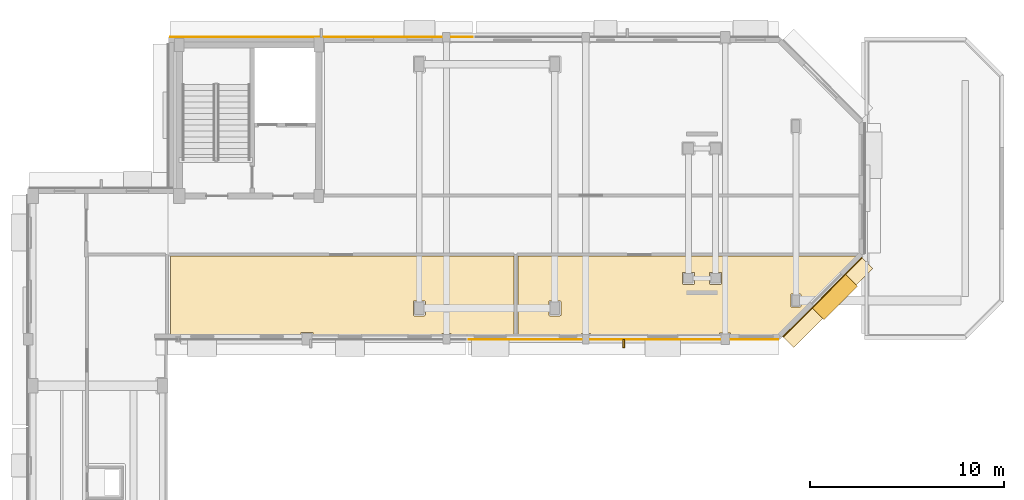
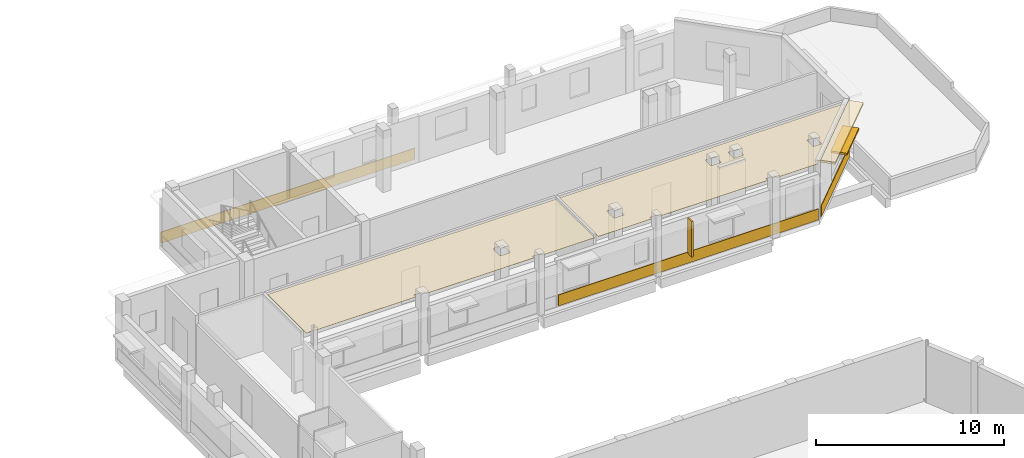
# One storey, part 104 of 105: 6 coverings, 2 shading devices.
"""IFC4 building model written with IfcOpenShell, lengths in metres."""

from ifc_helpers import new_model, si_unit, direction, frame, origin, origin_2d, place, context, subcontext, project, spatial, polyline, rectangle, outline, extrude, material, layer, layer_set, type_object, element, save


model = new_model("IFC4")

# Units and contexts
model_context = context("Model", 3, precision=1e-05, world=origin(), true_north=direction((0.0, 1.0)))
body_context = subcontext(model_context, "Body", "Model", "MODEL_VIEW")
ifc_project = project(units=[si_unit("LENGTHUNIT", "METRE"), si_unit("AREAUNIT", "SQUARE_METRE"), si_unit("VOLUMEUNIT", "CUBIC_METRE"), si_unit("PLANEANGLEUNIT", "RADIAN"), si_unit("MASSUNIT", "GRAM", prefix="KILO")], contexts=[model_context])

# Site, building, storey
site_placement = place(None, origin())
site = spatial("IfcSite", under=ifc_project, at=site_placement, CompositionType="ELEMENT")
building_placement = place(site_placement, origin())
building = spatial("IfcBuilding", under=site, at=building_placement, Name="Kelanivale Promenade Academy", CompositionType="ELEMENT")
storey_placement = place(building_placement, frame((0.0, 0.0, 4.199951171875)))
storey = spatial("IfcBuildingStorey", under=building, at=storey_placement, Name="L01", CompositionType="ELEMENT", Elevation=4.199951171875)

# Coverings
ifc_material_1 = material(Name="Warm ivory Art Deco stucco frieze band 40 mm", Category="masonry")
ifc_layer_1 = layer(ifc_material_1, 0.0400390625)
ifc_layer_set_1 = layer_set([ifc_layer_1], Name="Warm ivory Art Deco stucco frieze band 40 mm")
covering_type_1 = type_object("IfcCoveringType", Name="COV-CLD2 Warm ivory Art Deco stucco frieze ba", PredefinedType="CLADDING", material=ifc_layer_set_1)
covering_1_placement = place(storey_placement, frame((146.35302734375, 96.385009765625, 0.06005859375), z_axis=(0.0, 0.0, 1.0), x_axis=(1.0, 0.0, 0.0)))
element("IfcCovering", 1, at=covering_1_placement, inside=storey, type_object=covering_type_1, Name="Art Deco ivory stucco sill frieze band", PredefinedType="CLADDING", context=body_context, shape_type="SweptSolid", body=[
    extrude(rectangle(XDim=15.9951171875, YDim=0.0400390625, at=origin_2d()), origin(), (0.0, 0.0, 1.0), 0.719970703125),
])
covering_2_placement = place(storey_placement, frame((156.89892578125, 98.301025390625, 3.6201171875), z_axis=(0.0, 0.0, 1.0), x_axis=(0.707106781187, 0.707106781187, 0.0)))
element("IfcCovering", 2, at=covering_2_placement, inside=storey, type_object=covering_type_1, Name="Art Deco projecting 820 mm streamline sunshade eyebrow ledge", PredefinedType="CLADDING", context=body_context, shape_type="SweptSolid", body=[
    extrude(rectangle(XDim=5.77490234375, YDim=0.820068359375, at=origin_2d()), origin(), (0.0, 0.0, 1.0), 0.139892578125),
])
covering_3_placement = place(storey_placement, frame((156.626953125, 98.572998046875, 0.06005859375), z_axis=(0.0, 0.0, 1.0), x_axis=(0.707106781187, 0.707106781187, 0.0)))
element("IfcCovering", 3, at=covering_3_placement, inside=storey, type_object=covering_type_1, Name="Art Deco ivory stucco sill frieze band", PredefinedType="CLADDING", context=body_context, shape_type="SweptSolid", body=[
    extrude(rectangle(XDim=5.77490234375, YDim=0.0400390625, at=origin_2d()), origin(), (0.0, 0.0, 1.0), 0.719970703125),
])
covering_4_placement = place(storey_placement, frame((130.7451171875, 112.014892578125, 0.06005859375), z_axis=(0.0, 0.0, 1.0), x_axis=(-1.0, 0.0, 0.0)))
element("IfcCovering", 4, at=covering_4_placement, inside=storey, type_object=covering_type_1, Name="Art Deco ivory stucco sill frieze band", PredefinedType="CLADDING", context=body_context, shape_type="SweptSolid", body=[
    extrude(rectangle(XDim=15.631103515625, YDim=0.0400390625, at=origin_2d()), origin(), (0.0, 0.0, 1.0), 0.719970703125),
])
ifc_material_2 = material(Name="Acoustic mineral-fibre ceiling tile 25 mm", Category="gypsum")
ifc_layer_2 = layer(ifc_material_2, 0.02490234375)
ifc_layer_set_2 = layer_set([ifc_layer_2], Name="Acoustic mineral-fibre ceiling tile 25 mm")
covering_type_2 = type_object("IfcCoveringType", Name="COV-CLG1 Acoustic mineral-fibre ceiling tile ", PredefinedType="CEILING", material=ifc_layer_set_2)
covering_5_placement = place(storey_placement, frame((0.0, 0.0, 3.550048828125)))
element("IfcCovering", 5, at=covering_5_placement, inside=storey, type_object=covering_type_2, Name="Chemistry Laboratory 1 acoustic suspended ceiling", PredefinedType="CEILING", context=body_context, shape_type="SweptSolid", body=[
    extrude(outline(polyline([(140.68994140625, 96.550048828125), (140.68994140625, 100.68994140625), (122.9599609375, 100.68994140625), (122.9599609375, 96.550048828125), (123.1630859375, 96.550048828125), (123.1630859375, 96.551025390625), (123.1630859375, 96.554931640625), (123.1640625, 96.55908203125), (123.166015625, 96.56201171875), (123.1669921875, 96.56591796875), (123.1689453125, 96.569091796875), (123.172119140625, 96.572021484375), (123.174072265625, 96.574951171875), (123.177001953125, 96.577880859375), (123.179931640625, 96.580078125), (123.18408203125, 96.58203125), (123.18701171875, 96.583984375), (123.19091796875, 96.5849609375), (123.195068359375, 96.5859375), (123.198974609375, 96.5869140625), (123.202880859375, 96.5869140625), (123.4970703125, 96.5869140625), (123.5009765625, 96.5869140625), (123.5048828125, 96.5859375), (123.509033203125, 96.5849609375), (123.512939453125, 96.583984375), (123.51611328125, 96.58203125), (123.52001953125, 96.580078125), (123.52294921875, 96.577880859375), (123.52587890625, 96.574951171875), (123.528076171875, 96.572021484375), (123.531005859375, 96.569091796875), (123.532958984375, 96.56591796875), (123.533935546875, 96.56201171875), (123.535888671875, 96.55908203125), (123.537109375, 96.554931640625), (123.537109375, 96.551025390625), (123.537109375, 96.550048828125), (129.68994140625, 96.550048828125), (129.68994140625, 96.719970703125), (129.68994140625, 96.72412109375), (129.69091796875, 96.72802734375), (129.69189453125, 96.73193359375), (129.693115234375, 96.735107421875), (129.695068359375, 96.739013671875), (129.697021484375, 96.741943359375), (129.698974609375, 96.7451171875), (129.701904296875, 96.748046875), (129.705078125, 96.7509765625), (129.7080078125, 96.7529296875), (129.7109375, 96.7548828125), (129.715087890625, 96.757080078125), (129.718017578125, 96.758056640625), (129.721923828125, 96.759033203125), (129.72607421875, 96.760009765625), (129.72998046875, 96.760009765625), (130.27001953125, 96.760009765625), (130.27392578125, 96.760009765625), (130.278076171875, 96.759033203125), (130.281982421875, 96.758056640625), (130.284912109375, 96.757080078125), (130.2890625, 96.7548828125), (130.2919921875, 96.7529296875), (130.294921875, 96.7509765625), (130.298095703125, 96.748046875), (130.301025390625, 96.7451171875), (130.302978515625, 96.741943359375), (130.304931640625, 96.739013671875), (130.306884765625, 96.735107421875), (130.30810546875, 96.73193359375), (130.30908203125, 96.72802734375), (130.31005859375, 96.72412109375), (130.31005859375, 96.719970703125), (130.31005859375, 96.550048828125), (136.965087890625, 96.550048828125), (136.965087890625, 96.669921875), (136.965087890625, 96.674072265625), (136.966064453125, 96.677978515625), (136.967041015625, 96.681884765625), (136.968017578125, 96.68505859375), (136.969970703125, 96.68896484375), (136.971923828125, 96.69189453125), (136.97412109375, 96.695068359375), (136.97705078125, 96.697998046875), (136.97998046875, 96.700927734375), (136.98291015625, 96.702880859375), (136.986083984375, 96.705078125), (136.989990234375, 96.70703125), (136.992919921875, 96.7080078125), (136.9970703125, 96.708984375), (137.0009765625, 96.7099609375), (137.0048828125, 96.7099609375), (137.39501953125, 96.7099609375), (137.39892578125, 96.7099609375), (137.403076171875, 96.708984375), (137.406982421875, 96.7080078125), (137.409912109375, 96.70703125), (137.4140625, 96.705078125), (137.4169921875, 96.702880859375), (137.419921875, 96.700927734375), (137.423095703125, 96.697998046875), (137.426025390625, 96.695068359375), (137.427978515625, 96.69189453125), (137.429931640625, 96.68896484375), (137.431884765625, 96.68505859375), (137.43310546875, 96.681884765625), (137.43408203125, 96.677978515625), (137.43505859375, 96.674072265625), (137.43505859375, 96.669921875), (137.43505859375, 96.550048828125), (140.68994140625, 96.550048828125)]), holes=[polyline([(136.110107421875, 97.655029296875), (136.110107421875, 97.65087890625), (136.10888671875, 97.64697265625), (136.10791015625, 97.64306640625), (136.10693359375, 97.639892578125), (136.10498046875, 97.635986328125), (136.10302734375, 97.633056640625), (136.10107421875, 97.6298828125), (136.097900390625, 97.626953125), (136.094970703125, 97.6240234375), (136.092041015625, 97.6220703125), (136.089111328125, 97.6201171875), (136.0849609375, 97.617919921875), (136.08203125, 97.616943359375), (136.077880859375, 97.615966796875), (136.073974609375, 97.614990234375), (136.070068359375, 97.614990234375), (135.530029296875, 97.614990234375), (135.52587890625, 97.614990234375), (135.52197265625, 97.615966796875), (135.51806640625, 97.616943359375), (135.514892578125, 97.617919921875), (135.510986328125, 97.6201171875), (135.508056640625, 97.6220703125), (135.5048828125, 97.6240234375), (135.501953125, 97.626953125), (135.4990234375, 97.6298828125), (135.4970703125, 97.633056640625), (135.4951171875, 97.635986328125), (135.492919921875, 97.639892578125), (135.491943359375, 97.64306640625), (135.490966796875, 97.64697265625), (135.489990234375, 97.65087890625), (135.489990234375, 97.655029296875), (135.489990234375, 98.344970703125), (135.489990234375, 98.34912109375), (135.490966796875, 98.35302734375), (135.491943359375, 98.35693359375), (135.492919921875, 98.360107421875), (135.4951171875, 98.364013671875), (135.4970703125, 98.366943359375), (135.4990234375, 98.3701171875), (135.501953125, 98.373046875), (135.5048828125, 98.3759765625), (135.508056640625, 98.3779296875), (135.510986328125, 98.3798828125), (135.514892578125, 98.382080078125), (135.51806640625, 98.383056640625), (135.52197265625, 98.384033203125), (135.52587890625, 98.385009765625), (135.530029296875, 98.385009765625), (136.070068359375, 98.385009765625), (136.073974609375, 98.385009765625), (136.077880859375, 98.384033203125), (136.08203125, 98.383056640625), (136.0849609375, 98.382080078125), (136.089111328125, 98.3798828125), (136.092041015625, 98.3779296875), (136.094970703125, 98.3759765625), (136.097900390625, 98.373046875), (136.10107421875, 98.3701171875), (136.10302734375, 98.366943359375), (136.10498046875, 98.364013671875), (136.10693359375, 98.360107421875), (136.10791015625, 98.35693359375), (136.10888671875, 98.35302734375), (136.110107421875, 98.34912109375), (136.110107421875, 98.344970703125), (136.110107421875, 97.655029296875)])]), origin(), (0.0, 0.0, 1.0), 0.02490234375),
])
covering_6_placement = place(storey_placement, frame((0.0, 0.0, 3.550048828125)))
element("IfcCovering", 6, at=covering_6_placement, inside=storey, type_object=covering_type_2, Name="Chemistry Laboratory 2 acoustic suspended ceiling", PredefinedType="CEILING", context=body_context, shape_type="SweptSolid", body=[
    extrude(outline(polyline([(140.909912109375, 96.550048828125), (144.1650390625, 96.550048828125), (144.1650390625, 96.669921875), (144.1650390625, 96.674072265625), (144.166015625, 96.677978515625), (144.1669921875, 96.681884765625), (144.16796875, 96.68505859375), (144.169921875, 96.68896484375), (144.172119140625, 96.69189453125), (144.174072265625, 96.695068359375), (144.177001953125, 96.697998046875), (144.179931640625, 96.700927734375), (144.18310546875, 96.702880859375), (144.18603515625, 96.705078125), (144.18994140625, 96.70703125), (144.193115234375, 96.7080078125), (144.197021484375, 96.708984375), (144.200927734375, 96.7099609375), (144.205078125, 96.7099609375), (144.594970703125, 96.7099609375), (144.59912109375, 96.7099609375), (144.60302734375, 96.708984375), (144.60693359375, 96.7080078125), (144.610107421875, 96.70703125), (144.614013671875, 96.705078125), (144.616943359375, 96.702880859375), (144.6201171875, 96.700927734375), (144.623046875, 96.697998046875), (144.6259765625, 96.695068359375), (144.6279296875, 96.69189453125), (144.6298828125, 96.68896484375), (144.632080078125, 96.68505859375), (144.633056640625, 96.681884765625), (144.634033203125, 96.677978515625), (144.635009765625, 96.674072265625), (144.635009765625, 96.669921875), (144.635009765625, 96.550048828125), (151.31494140625, 96.550048828125), (151.31494140625, 96.695068359375), (151.31494140625, 96.698974609375), (151.31591796875, 96.702880859375), (151.31689453125, 96.70703125), (151.318115234375, 96.7099609375), (151.320068359375, 96.714111328125), (151.322021484375, 96.717041015625), (151.323974609375, 96.719970703125), (151.326904296875, 96.722900390625), (151.330078125, 96.72607421875), (151.3330078125, 96.72802734375), (151.3359375, 96.72998046875), (151.340087890625, 96.73193359375), (151.343017578125, 96.73291015625), (151.346923828125, 96.73388671875), (151.35107421875, 96.735107421875), (151.35498046875, 96.735107421875), (151.844970703125, 96.735107421875), (151.84912109375, 96.735107421875), (151.85302734375, 96.73388671875), (151.85693359375, 96.73291015625), (151.860107421875, 96.73193359375), (151.864013671875, 96.72998046875), (151.866943359375, 96.72802734375), (151.8701171875, 96.72607421875), (151.873046875, 96.722900390625), (151.8759765625, 96.719970703125), (151.8779296875, 96.717041015625), (151.8798828125, 96.714111328125), (151.882080078125, 96.7099609375), (151.883056640625, 96.70703125), (151.884033203125, 96.702880859375), (151.885009765625, 96.698974609375), (151.885009765625, 96.695068359375), (151.885009765625, 96.550048828125), (154.37109375, 96.550048828125), (158.510986328125, 100.68994140625), (140.909912109375, 100.68994140625), (140.909912109375, 96.550048828125)]), holes=[polyline([(155.510009765625, 98.10498046875), (155.510009765625, 98.10107421875), (155.509033203125, 98.096923828125), (155.508056640625, 98.093017578125), (155.507080078125, 98.090087890625), (155.5048828125, 98.0859375), (155.5029296875, 98.0830078125), (155.5009765625, 98.080078125), (155.498046875, 98.076904296875), (155.4951171875, 98.073974609375), (155.491943359375, 98.072021484375), (155.489013671875, 98.070068359375), (155.485107421875, 98.068115234375), (155.48193359375, 98.06689453125), (155.47802734375, 98.06591796875), (155.47412109375, 98.06494140625), (155.469970703125, 98.06494140625), (155.030029296875, 98.06494140625), (155.02587890625, 98.06494140625), (155.02197265625, 98.06591796875), (155.01806640625, 98.06689453125), (155.014892578125, 98.068115234375), (155.010986328125, 98.070068359375), (155.008056640625, 98.072021484375), (155.0048828125, 98.073974609375), (155.001953125, 98.076904296875), (154.9990234375, 98.080078125), (154.9970703125, 98.0830078125), (154.9951171875, 98.0859375), (154.992919921875, 98.090087890625), (154.991943359375, 98.093017578125), (154.990966796875, 98.096923828125), (154.989990234375, 98.10107421875), (154.989990234375, 98.10498046875), (154.989990234375, 98.695068359375), (154.989990234375, 98.698974609375), (154.990966796875, 98.702880859375), (154.991943359375, 98.70703125), (154.992919921875, 98.7099609375), (154.9951171875, 98.714111328125), (154.9970703125, 98.717041015625), (154.9990234375, 98.719970703125), (155.001953125, 98.722900390625), (155.0048828125, 98.72607421875), (155.008056640625, 98.72802734375), (155.010986328125, 98.72998046875), (155.014892578125, 98.73193359375), (155.01806640625, 98.73291015625), (155.02197265625, 98.73388671875), (155.02587890625, 98.735107421875), (155.030029296875, 98.735107421875), (155.469970703125, 98.735107421875), (155.47412109375, 98.735107421875), (155.47802734375, 98.73388671875), (155.48193359375, 98.73291015625), (155.485107421875, 98.73193359375), (155.489013671875, 98.72998046875), (155.491943359375, 98.72802734375), (155.4951171875, 98.72607421875), (155.498046875, 98.722900390625), (155.5009765625, 98.719970703125), (155.5029296875, 98.717041015625), (155.5048828125, 98.714111328125), (155.507080078125, 98.7099609375), (155.508056640625, 98.70703125), (155.509033203125, 98.702880859375), (155.510009765625, 98.698974609375), (155.510009765625, 98.695068359375), (155.510009765625, 98.10498046875)]), polyline([(151.409912109375, 99.280029296875), (151.409912109375, 99.27587890625), (151.408935546875, 99.27197265625), (151.407958984375, 99.26806640625), (151.406982421875, 99.264892578125), (151.405029296875, 99.260986328125), (151.403076171875, 99.258056640625), (151.40087890625, 99.2548828125), (151.39794921875, 99.251953125), (151.39501953125, 99.2490234375), (151.39208984375, 99.2470703125), (151.388916015625, 99.2451171875), (151.385009765625, 99.242919921875), (151.382080078125, 99.241943359375), (151.3779296875, 99.240966796875), (151.3740234375, 99.239990234375), (151.3701171875, 99.239990234375), (150.830078125, 99.239990234375), (150.825927734375, 99.239990234375), (150.822021484375, 99.240966796875), (150.818115234375, 99.241943359375), (150.81494140625, 99.242919921875), (150.81103515625, 99.2451171875), (150.80810546875, 99.2470703125), (150.804931640625, 99.2490234375), (150.802001953125, 99.251953125), (150.799072265625, 99.2548828125), (150.797119140625, 99.258056640625), (150.794921875, 99.260986328125), (150.79296875, 99.264892578125), (150.7919921875, 99.26806640625), (150.791015625, 99.27197265625), (150.7900390625, 99.27587890625), (150.7900390625, 99.280029296875), (150.7900390625, 99.820068359375), (150.7900390625, 99.823974609375), (150.791015625, 99.827880859375), (150.7919921875, 99.83203125), (150.79296875, 99.8349609375), (150.794921875, 99.839111328125), (150.797119140625, 99.842041015625), (150.799072265625, 99.844970703125), (150.802001953125, 99.847900390625), (150.804931640625, 99.85107421875), (150.80810546875, 99.85302734375), (150.81103515625, 99.85498046875), (150.81494140625, 99.85693359375), (150.818115234375, 99.85791015625), (150.822021484375, 99.85888671875), (150.825927734375, 99.860107421875), (150.830078125, 99.860107421875), (151.3701171875, 99.860107421875), (151.3740234375, 99.860107421875), (151.3779296875, 99.85888671875), (151.382080078125, 99.85791015625), (151.385009765625, 99.85693359375), (151.388916015625, 99.85498046875), (151.39208984375, 99.85302734375), (151.39501953125, 99.85107421875), (151.39794921875, 99.847900390625), (151.40087890625, 99.844970703125), (151.403076171875, 99.842041015625), (151.405029296875, 99.839111328125), (151.406982421875, 99.8349609375), (151.407958984375, 99.83203125), (151.408935546875, 99.827880859375), (151.409912109375, 99.823974609375), (151.409912109375, 99.820068359375), (151.409912109375, 99.280029296875)]), polyline([(150.010009765625, 99.280029296875), (150.010009765625, 99.27587890625), (150.009033203125, 99.27197265625), (150.008056640625, 99.26806640625), (150.007080078125, 99.264892578125), (150.0048828125, 99.260986328125), (150.0029296875, 99.258056640625), (150.0009765625, 99.2548828125), (149.998046875, 99.251953125), (149.9951171875, 99.2490234375), (149.991943359375, 99.2470703125), (149.989013671875, 99.2451171875), (149.985107421875, 99.242919921875), (149.98193359375, 99.241943359375), (149.97802734375, 99.240966796875), (149.97412109375, 99.239990234375), (149.969970703125, 99.239990234375), (149.429931640625, 99.239990234375), (149.426025390625, 99.239990234375), (149.422119140625, 99.240966796875), (149.41796875, 99.241943359375), (149.4150390625, 99.242919921875), (149.410888671875, 99.2451171875), (149.407958984375, 99.2470703125), (149.405029296875, 99.2490234375), (149.402099609375, 99.251953125), (149.39892578125, 99.2548828125), (149.39697265625, 99.258056640625), (149.39501953125, 99.260986328125), (149.39306640625, 99.264892578125), (149.39208984375, 99.26806640625), (149.39111328125, 99.27197265625), (149.389892578125, 99.27587890625), (149.389892578125, 99.280029296875), (149.389892578125, 99.820068359375), (149.389892578125, 99.823974609375), (149.39111328125, 99.827880859375), (149.39208984375, 99.83203125), (149.39306640625, 99.8349609375), (149.39501953125, 99.839111328125), (149.39697265625, 99.842041015625), (149.39892578125, 99.844970703125), (149.402099609375, 99.847900390625), (149.405029296875, 99.85107421875), (149.407958984375, 99.85302734375), (149.410888671875, 99.85498046875), (149.4150390625, 99.85693359375), (149.41796875, 99.85791015625), (149.422119140625, 99.85888671875), (149.426025390625, 99.860107421875), (149.429931640625, 99.860107421875), (149.969970703125, 99.860107421875), (149.97412109375, 99.860107421875), (149.97802734375, 99.85888671875), (149.98193359375, 99.85791015625), (149.985107421875, 99.85693359375), (149.989013671875, 99.85498046875), (149.991943359375, 99.85302734375), (149.9951171875, 99.85107421875), (149.998046875, 99.847900390625), (150.0009765625, 99.844970703125), (150.0029296875, 99.842041015625), (150.0048828125, 99.839111328125), (150.007080078125, 99.8349609375), (150.008056640625, 99.83203125), (150.009033203125, 99.827880859375), (150.010009765625, 99.823974609375), (150.010009765625, 99.820068359375), (150.010009765625, 99.280029296875)]), polyline([(143.070068359375, 98.385009765625), (143.073974609375, 98.385009765625), (143.077880859375, 98.384033203125), (143.08203125, 98.383056640625), (143.0849609375, 98.382080078125), (143.089111328125, 98.3798828125), (143.092041015625, 98.3779296875), (143.094970703125, 98.3759765625), (143.097900390625, 98.373046875), (143.10107421875, 98.3701171875), (143.10302734375, 98.366943359375), (143.10498046875, 98.364013671875), (143.10693359375, 98.360107421875), (143.10791015625, 98.35693359375), (143.10888671875, 98.35302734375), (143.110107421875, 98.34912109375), (143.110107421875, 98.344970703125), (143.110107421875, 97.655029296875), (143.110107421875, 97.65087890625), (143.10888671875, 97.64697265625), (143.10791015625, 97.64306640625), (143.10693359375, 97.639892578125), (143.10498046875, 97.635986328125), (143.10302734375, 97.633056640625), (143.10107421875, 97.6298828125), (143.097900390625, 97.626953125), (143.094970703125, 97.6240234375), (143.092041015625, 97.6220703125), (143.089111328125, 97.6201171875), (143.0849609375, 97.617919921875), (143.08203125, 97.616943359375), (143.077880859375, 97.615966796875), (143.073974609375, 97.614990234375), (143.070068359375, 97.614990234375), (142.530029296875, 97.614990234375), (142.52587890625, 97.614990234375), (142.52197265625, 97.615966796875), (142.51806640625, 97.616943359375), (142.514892578125, 97.617919921875), (142.510986328125, 97.6201171875), (142.508056640625, 97.6220703125), (142.5048828125, 97.6240234375), (142.501953125, 97.626953125), (142.4990234375, 97.6298828125), (142.4970703125, 97.633056640625), (142.4951171875, 97.635986328125), (142.492919921875, 97.639892578125), (142.491943359375, 97.64306640625), (142.490966796875, 97.64697265625), (142.489990234375, 97.65087890625), (142.489990234375, 97.655029296875), (142.489990234375, 98.344970703125), (142.489990234375, 98.34912109375), (142.490966796875, 98.35302734375), (142.491943359375, 98.35693359375), (142.492919921875, 98.360107421875), (142.4951171875, 98.364013671875), (142.4970703125, 98.366943359375), (142.4990234375, 98.3701171875), (142.501953125, 98.373046875), (142.5048828125, 98.3759765625), (142.508056640625, 98.3779296875), (142.510986328125, 98.3798828125), (142.514892578125, 98.382080078125), (142.51806640625, 98.383056640625), (142.52197265625, 98.384033203125), (142.52587890625, 98.385009765625), (142.530029296875, 98.385009765625), (143.070068359375, 98.385009765625)])]), origin(), (0.0, 0.0, 1.0), 0.02490234375),
])

# Shading devices
ifc_material_3 = material(Name="Precast concrete C40/50", Category="concrete")
ifc_layer_3 = layer(ifc_material_3, 0.1201171875)
ifc_layer_set_3 = layer_set([ifc_layer_3], Name="Precast concrete C40/50")
shading_device_type_1 = type_object("IfcShadingDeviceType", Name="SHD-01 Art Deco Sunshade Eyebrow 900mm", PredefinedType="USERDEFINED", material=ifc_layer_set_3)
shading_device_1_placement = place(storey_placement, frame((157.24609375, 98.591064453125, 2.81005859375), z_axis=(0.0, 0.0, 1.0), x_axis=(0.707106781187, 0.707106781187, 0.0)))
element("IfcShadingDevice", 7, at=shading_device_1_placement, inside=storey, type_object=shading_device_type_1, Name="Art Deco 900 mm precast chajja window sunshade", ObjectType="SUNSHADE", PredefinedType="USERDEFINED", context=body_context, shape_type="SweptSolid", body=[
    extrude(rectangle(XDim=2.449951171875, YDim=0.89990234375, at=origin_2d()), origin(), (0.0, 0.0, 1.0), 0.1201171875),
])
ifc_material_4 = material(Name="Bronze anodised aluminium EN AW-6063 T6", Category="aluminium")
ifc_layer_4 = layer(ifc_material_4, 0.10009765625)
ifc_layer_set_4 = layer_set([ifc_layer_4], Name="Bronze anodised aluminium EN AW-6063 T6")
shading_device_type_2 = type_object("IfcShadingDeviceType", Name="SHD-03 Vertical Fluted Solar Fin", PredefinedType="USERDEFINED", material=ifc_layer_set_4)
shading_device_2_placement = place(storey_placement, frame((146.35302734375, 96.179931640625, 0.7001953125), z_axis=(0.0, 0.0, 1.0), x_axis=(1.0, 0.0, 0.0)))
element("IfcShadingDevice", 8, at=shading_device_2_placement, inside=storey, type_object=shading_device_type_2, Name="Vertical fluted Art Deco solar fin", ObjectType="SOLAR FIN", PredefinedType="USERDEFINED", context=body_context, shape_type="SweptSolid", body=[
    extrude(rectangle(XDim=0.10009765625, YDim=0.449951171875, at=origin_2d()), origin(), (0.0, 0.0, 1.0), 2.300048828125),
])

save(model, "model.ifc")
